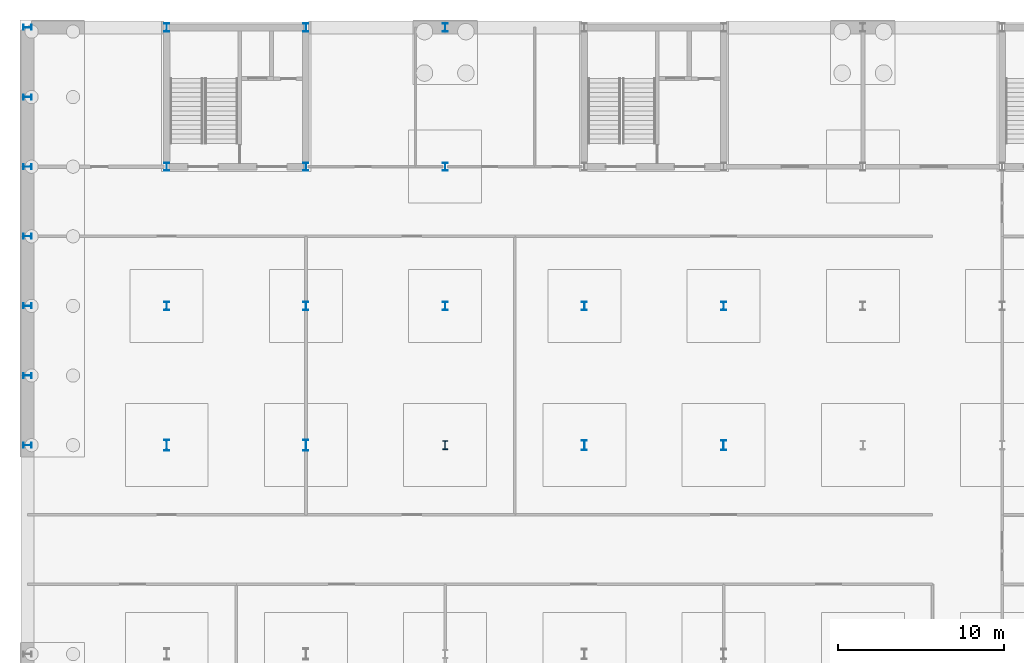
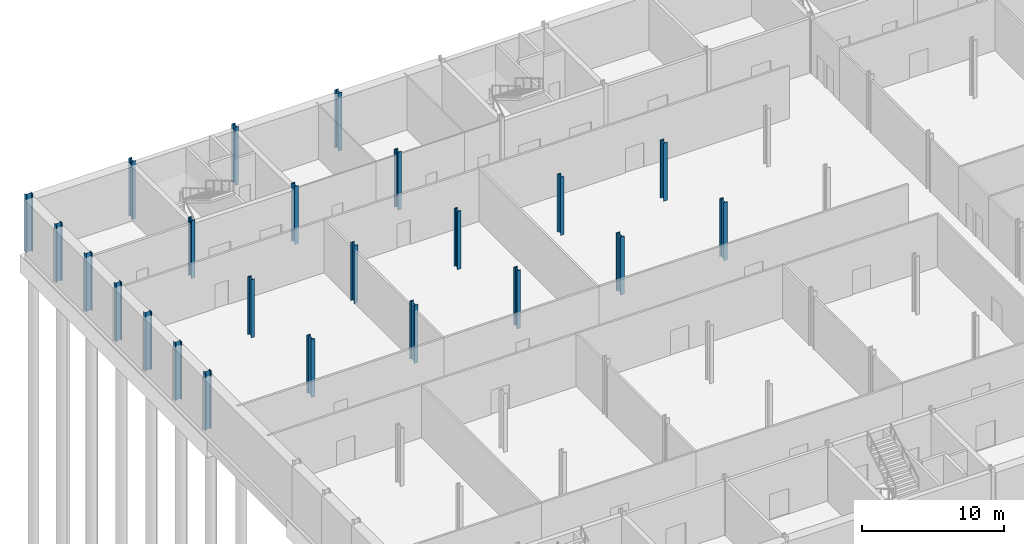
# One storey, part 5 of 22: 23 columns.
"""IFC4 building model written with IfcOpenShell, lengths in metres."""

from ifc_helpers import new_model, si_unit, direction, frame, origin, origin_2d, place, context, subcontext, project, spatial, i_section, extrude, material, material_profile, profile_set, type_object, element, save


model = new_model("IFC4")

# Units and contexts
model_context = context("Model", 3, precision=1e-05, world=origin(), true_north=direction((0.0, 1.0)))
body_context = subcontext(model_context, "Body", "Model", "MODEL_VIEW")
ifc_project = project(units=[si_unit("LENGTHUNIT", "METRE"), si_unit("AREAUNIT", "SQUARE_METRE"), si_unit("VOLUMEUNIT", "CUBIC_METRE"), si_unit("PLANEANGLEUNIT", "RADIAN"), si_unit("MASSUNIT", "GRAM", prefix="KILO")], contexts=[model_context])

# Site, building, storey
site_placement = place(None, origin())
site = spatial("IfcSite", under=ifc_project, at=site_placement, CompositionType="ELEMENT")
building_placement = place(site_placement, origin())
building = spatial("IfcBuilding", under=site, at=building_placement, Name="Galleria Vessillo Department Store", CompositionType="ELEMENT")
storey_placement = place(building_placement, frame((0.0, 0.0, -9.89990234375)))
storey = spatial("IfcBuildingStorey", under=building, at=storey_placement, Name="B2", CompositionType="ELEMENT", Elevation=-9.89990234375)

# Columns
ifc_material_1 = material(Name="Steel S355 J2", Category="steel")
ifc_material_profile_1 = material_profile(ifc_material_1, i_section(OverallWidth=0.300048828125, OverallDepth=0.5, WebThickness=0.014404296875, FlangeThickness=0.028076171875, FilletRadius=0.027099609375, at=origin_2d()), Name="HEB 500")
ifc_profile_set_1 = profile_set([ifc_material_profile_1], Name="Steel S355 J2")
column_type_1 = type_object("IfcColumnType", Name="Steel column HEB 500 CP1", PredefinedType="COLUMN", material=ifc_profile_set_1)
for number, where, z_axis, x_axis, name in (
    (1, (0.0, 37.800048828125, 0.0), (0.0, 0.0, 1.0), (0.0, 1.0, 0.0), "S-COL-B2-1-E"),
    (2, (0.0, 42.0, 0.0), (0.0, 0.0, 1.0), (0.0, 1.0, 0.0), "S-COL-B2-1-42"),
    (3, (0.0, 46.199951171875, 0.0), (0.0, 0.0, 1.0), (0.0, 1.0, 0.0), "S-COL-B2-1-F"),
    (4, (0.0, 50.39990234375, 0.0), (0.0, 0.0, 1.0), (0.0, 1.0, 0.0), "S-COL-B2-1-50.4"),
    (5, (0.0, 54.60009765625, 0.0), (0.0, 0.0, 1.0), (0.0, 1.0, 0.0), "S-COL-B2-1-G"),
    (6, (0.0, 58.800048828125, 0.0), (0.0, 0.0, 1.0), (0.0, 1.0, 0.0), "S-COL-B2-1-58.8"),
    (7, (0.0, 63.0, 0.0), (0.0, 0.0, 1.0), (0.0, 1.0, 0.0), "S-COL-B2-1-H"),
    (8, (8.39990234375, 46.199951171875, 0.0), (0.0, 0.0, 1.0), (1.0, 0.0, 0.0), "S-COL-B2-2-F"),
    (9, (8.39990234375, 54.60009765625, 0.0), (0.0, 0.0, 1.0), (1.0, 0.0, 0.0), "S-COL-B2-2-G"),
    (10, (8.39990234375, 63.0, 0.0), (0.0, 0.0, 1.0), (1.0, 0.0, 0.0), "S-COL-B2-2-H"),
    (11, (16.800048828125, 46.199951171875, 0.0), (0.0, 0.0, 1.0), (1.0, 0.0, 0.0), "S-COL-B2-3-F"),
    (12, (16.800048828125, 54.60009765625, 0.0), (0.0, 0.0, 1.0), (1.0, 0.0, 0.0), "S-COL-B2-3-G"),
    (13, (16.800048828125, 63.0, 0.0), (0.0, 0.0, 1.0), (1.0, 0.0, 0.0), "S-COL-B2-3-H"),
    (14, (25.199951171875, 46.199951171875, 0.0), (0.0, 0.0, 1.0), (1.0, 0.0, 0.0), "S-COL-B2-4-F"),
    (15, (25.199951171875, 54.60009765625, 0.0), (0.0, 0.0, 1.0), (1.0, 0.0, 0.0), "S-COL-B2-4-G"),
    (16, (25.199951171875, 63.0, 0.0), (0.0, 0.0, 1.0), (1.0, 0.0, 0.0), "S-COL-B2-4-H"),
    (17, (33.60009765625, 46.199951171875, 0.0), (0.0, 0.0, 1.0), (1.0, 0.0, 0.0), "S-COL-B2-5-F"),
    (18, (42.0, 46.199951171875, 0.0), (0.0, 0.0, 1.0), (1.0, 0.0, 0.0), "S-COL-B2-6-F"),
):
    element("IfcColumn", number, at=place(storey_placement, frame(where, z_axis=z_axis, x_axis=x_axis)), inside=storey, type_object=column_type_1, Name=name, PredefinedType="COLUMN", context=body_context, shape_type="SweptSolid", body=[
        extrude(i_section(OverallWidth=0.300048828125, OverallDepth=0.5, WebThickness=0.014404296875, FlangeThickness=0.028076171875, FilletRadius=0.027099609375, at=origin_2d()), origin(), (0.0, 0.0, 1.0), 5.0),
    ])
ifc_material_2 = material(Name="Steel S355 J2", Category="steel")
ifc_material_profile_2 = material_profile(ifc_material_2, i_section(OverallWidth=0.305908203125, OverallDepth=0.52392578125, WebThickness=0.02099609375, FlangeThickness=0.0400390625, FilletRadius=0.027099609375, at=origin_2d()), Name="HEM 500")
ifc_profile_set_2 = profile_set([ifc_material_profile_2], Name="Steel S355 J2")
column_type_2 = type_object("IfcColumnType", Name="Steel column HEM 500 CV1", PredefinedType="COLUMN", material=ifc_profile_set_2)
column_placement = place(storey_placement, frame((25.199951171875, 37.800048828125, 0.0), z_axis=(0.0, 0.0, 1.0), x_axis=(1.0, 0.0, 0.0)))
element("IfcColumn", 19, at=column_placement, inside=storey, type_object=column_type_2, Name="S-COL-B2-4-E", PredefinedType="COLUMN", context=body_context, shape_type="SweptSolid", body=[
    extrude(i_section(OverallWidth=0.305908203125, OverallDepth=0.52392578125, WebThickness=0.02099609375, FlangeThickness=0.0400390625, FilletRadius=0.027099609375, at=origin_2d()), origin(), (0.0, 0.0, 1.0), 5.0),
])
ifc_material_3 = material(Name="Steel S355 J2", Category="steel")
ifc_material_profile_3 = material_profile(ifc_material_3, i_section(OverallWidth=0.304931640625, OverallDepth=0.6201171875, WebThickness=0.02099609375, FlangeThickness=0.0400390625, FilletRadius=0.027099609375, at=origin_2d()), Name="HEM 600")
ifc_profile_set_3 = profile_set([ifc_material_profile_3], Name="Steel S355 J2")
column_type_3 = type_object("IfcColumnType", Name="Steel column HEM 600 CV2", PredefinedType="COLUMN", material=ifc_profile_set_3)
for number, where, z_axis, x_axis, name in (
    (20, (33.60009765625, 37.800048828125, 0.0), (0.0, 0.0, 1.0), (1.0, 0.0, 0.0), "S-COL-B2-5-E"),
    (21, (42.0, 37.800048828125, 0.0), (0.0, 0.0, 1.0), (1.0, 0.0, 0.0), "S-COL-B2-6-E"),
):
    element("IfcColumn", number, at=place(storey_placement, frame(where, z_axis=z_axis, x_axis=x_axis)), inside=storey, type_object=column_type_3, Name=name, PredefinedType="COLUMN", context=body_context, shape_type="SweptSolid", body=[
        extrude(i_section(OverallWidth=0.304931640625, OverallDepth=0.6201171875, WebThickness=0.02099609375, FlangeThickness=0.0400390625, FilletRadius=0.027099609375, at=origin_2d()), origin(), (0.0, 0.0, 1.0), 5.0),
    ])
ifc_material_4 = material(Name="Steel S355 J2", Category="steel")
ifc_material_profile_4 = material_profile(ifc_material_4, i_section(OverallWidth=0.304931640625, OverallDepth=0.66796875, WebThickness=0.02099609375, FlangeThickness=0.0400390625, FilletRadius=0.027099609375, at=origin_2d()), Name="HEM 650")
ifc_profile_set_4 = profile_set([ifc_material_profile_4], Name="Steel S355 J2")
column_type_4 = type_object("IfcColumnType", Name="Steel column HEM 650 CV3", PredefinedType="COLUMN", material=ifc_profile_set_4)
for number, where, z_axis, x_axis, name in (
    (22, (8.39990234375, 37.800048828125, 0.0), (0.0, 0.0, 1.0), (1.0, 0.0, 0.0), "S-COL-B2-2-E"),
    (23, (16.800048828125, 37.800048828125, 0.0), (0.0, 0.0, 1.0), (1.0, 0.0, 0.0), "S-COL-B2-3-E"),
):
    element("IfcColumn", number, at=place(storey_placement, frame(where, z_axis=z_axis, x_axis=x_axis)), inside=storey, type_object=column_type_4, Name=name, PredefinedType="COLUMN", context=body_context, shape_type="SweptSolid", body=[
        extrude(i_section(OverallWidth=0.304931640625, OverallDepth=0.66796875, WebThickness=0.02099609375, FlangeThickness=0.0400390625, FilletRadius=0.027099609375, at=origin_2d()), origin(), (0.0, 0.0, 1.0), 5.0),
    ])

save(model, "model.ifc")
